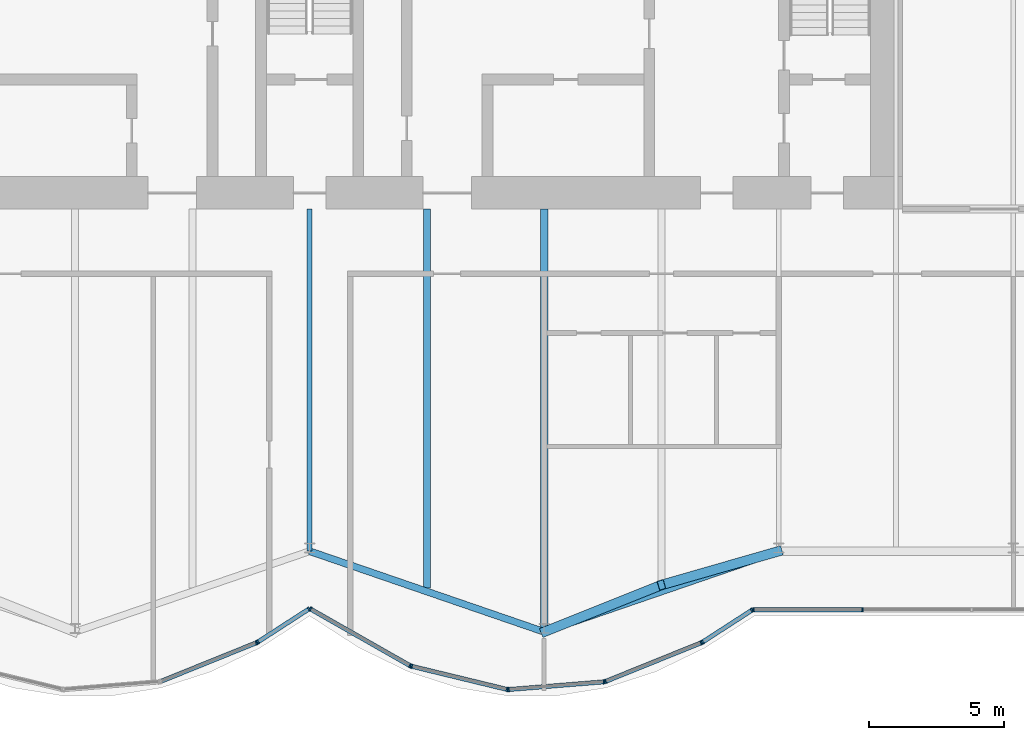
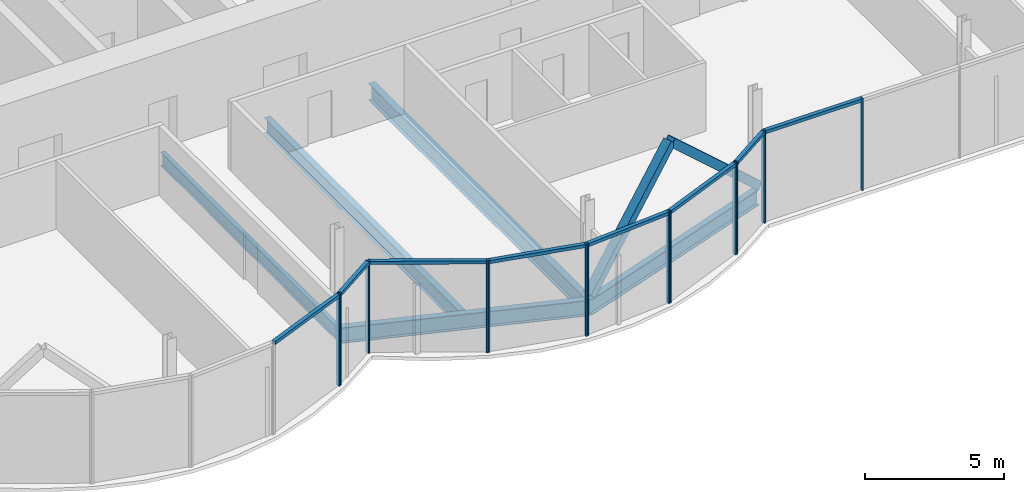
# One storey, part 8 of 19: 25 members, 5 beams, 3 elements without a shape of their own.
"""IFC4 building model written with IfcOpenShell, lengths in metres."""

from ifc_helpers import new_model, si_unit, direction, frame, origin, origin_2d, place, context, subcontext, project, spatial, rectangle, hollow_rectangle, i_section, extrude, material, material_profile, profile_set, type_object, element, aggregate, save


model = new_model("IFC4")

# Units and contexts
model_context = context("Model", 3, precision=1e-05, world=origin(), true_north=direction((0.0, 1.0)))
body_context = subcontext(model_context, "Body", "Model", "MODEL_VIEW")
ifc_project = project(units=[si_unit("LENGTHUNIT", "METRE"), si_unit("AREAUNIT", "SQUARE_METRE"), si_unit("VOLUMEUNIT", "CUBIC_METRE"), si_unit("PLANEANGLEUNIT", "RADIAN"), si_unit("MASSUNIT", "GRAM", prefix="KILO")], contexts=[model_context])

# Site, building, storey
site_placement = place(None, origin())
site = spatial("IfcSite", under=ifc_project, at=site_placement, CompositionType="ELEMENT")
building_placement = place(site_placement, origin())
building = spatial("IfcBuilding", under=site, at=building_placement, Name="Bicima Exchange Tower", CompositionType="ELEMENT")
storey_placement = place(building_placement, frame((0.0, 0.0, 279.199951171875)))
storey = spatial("IfcBuildingStorey", under=building, at=storey_placement, Name="L63", CompositionType="ELEMENT", Elevation=279.199951171875)

# Beams
ifc_material_1 = material(Name="Steel ASTM A992 Gr 50", Category="steel")
ifc_material_profile_1 = material_profile(ifc_material_1, i_section(OverallWidth=0.177978515625, OverallDepth=0.599365234375, WebThickness=0.010009765625, FlangeThickness=0.012939453125, at=origin_2d()))
ifc_profile_set_1 = profile_set([ifc_material_profile_1], Name="Steel ASTM A992 Gr 50")
beam_type_1 = type_object("IfcBeamType", Name="Floor beam W24x55", PredefinedType="JOIST", material=ifc_profile_set_1)
beam_1_placement = place(storey_placement, frame((0.0, -13.0, -0.44970703125), z_axis=(0.0, -1.0, 0.0), x_axis=(1.0, 0.0, 0.0)))
element("IfcBeam", 1, at=beam_1_placement, inside=storey, type_object=beam_type_1, Name="Floor beam", PredefinedType="JOIST", context=body_context, shape_type="SweptSolid", body=[
    extrude(i_section(OverallWidth=0.177978515625, OverallDepth=0.599365234375, WebThickness=0.010009765625, FlangeThickness=0.012939453125, at=origin_2d()), origin(), (0.0, 0.0, 1.0), 12.69189453125),
])
ifc_material_profile_2 = material_profile(ifc_material_1, i_section(OverallWidth=0.25390625, OverallDepth=0.67822265625, WebThickness=0.01171875, FlangeThickness=0.016357421875, at=origin_2d()))
ifc_profile_set_2 = profile_set([ifc_material_profile_2], Name="Steel ASTM A992 Gr 50")
beam_type_2 = type_object("IfcBeamType", Name="Floor beam W27x84", PredefinedType="JOIST", material=ifc_profile_set_2)
beam_2_placement = place(storey_placement, frame((4.35009765625, -13.0, -0.489013671875), z_axis=(0.0, -1.0, 0.0), x_axis=(1.0, 0.0, 0.0)))
element("IfcBeam", 2, at=beam_2_placement, inside=storey, type_object=beam_type_2, Name="Floor beam", PredefinedType="JOIST", context=body_context, shape_type="SweptSolid", body=[
    extrude(i_section(OverallWidth=0.25390625, OverallDepth=0.67822265625, WebThickness=0.01171875, FlangeThickness=0.016357421875, at=origin_2d()), origin(), (0.0, 0.0, 1.0), 14.052001953125),
])
ifc_material_profile_3 = material_profile(ifc_material_1, i_section(OverallWidth=0.2666015625, OverallDepth=0.75439453125, WebThickness=0.01318359375, FlangeThickness=0.01708984375, at=origin_2d()))
ifc_profile_set_3 = profile_set([ifc_material_profile_3], Name="Steel ASTM A992 Gr 50")
beam_type_3 = type_object("IfcBeamType", Name="Floor beam W30x99", PredefinedType="JOIST", material=ifc_profile_set_3)
beam_3_placement = place(storey_placement, frame((8.699951171875, -13.0, -0.527099609375), z_axis=(0.0, -1.0, 0.0), x_axis=(1.0, 0.0, 0.0)))
element("IfcBeam", 3, at=beam_3_placement, inside=storey, type_object=beam_type_3, Name="Floor beam", PredefinedType="JOIST", context=body_context, shape_type="SweptSolid", body=[
    extrude(i_section(OverallWidth=0.2666015625, OverallDepth=0.75439453125, WebThickness=0.01318359375, FlangeThickness=0.01708984375, at=origin_2d()), origin(), (0.0, 0.0, 1.0), 15.54736328125),
])
ifc_material_profile_4 = material_profile(ifc_material_1, i_section(OverallWidth=0.256591796875, OverallDepth=0.693359375, WebThickness=0.014404296875, FlangeThickness=0.023681640625, at=origin_2d()))
ifc_profile_set_4 = profile_set([ifc_material_profile_4], Name="Steel ASTM A992 Gr 50")
beam_type_4 = type_object("IfcBeamType", Name="Front girder W27x114", PredefinedType="BEAM", material=ifc_profile_set_4)
for number, where, z_axis, x_axis, name in (
    (4, (0.0, -25.69189453125, -0.49658203125), (0.945666456746, -0.325138359143, 0.0), (0.325138359143, 0.945666456746, 0.0), "Front girder"),
    (5, (8.699951171875, -28.68310546875, -0.49658203125), (0.945666456746, 0.325138359143, 0.0), (-0.325138359143, 0.945666456746, 0.0), "Front girder"),
):
    element("IfcBeam", number, at=place(storey_placement, frame(where, z_axis=z_axis, x_axis=x_axis)), inside=storey, type_object=beam_type_4, Name=name, PredefinedType="BEAM", context=body_context, shape_type="SweptSolid", body=[
        extrude(i_section(OverallWidth=0.256591796875, OverallDepth=0.693359375, WebThickness=0.014404296875, FlangeThickness=0.023681640625, at=origin_2d()), origin(), (0.0, 0.0, 1.0), 9.19970703125),
    ])

# Curtain wall, members
ifc_material_2 = material(Name="Anodised bronze aluminium", Category="aluminium")
curtain_wall_type = type_object("IfcCurtainWallType", Name="Front glass wall", PredefinedType="NOTDEFINED", material=ifc_material_2)
curtain_wall_1_placement = place(storey_placement, origin())
curtain_wall_1 = element("IfcCurtainWall", 6, at=curtain_wall_1_placement, inside=storey, type_object=curtain_wall_type, Name="Front glass wall L63 run 6", PredefinedType="NOTDEFINED")
ifc_material_profile_5 = material_profile(ifc_material_2, rectangle(XDim=0.159912109375, YDim=0.06005859375, at=origin_2d()))
ifc_profile_set_5 = profile_set([ifc_material_profile_5], Name="Anodised bronze aluminium")
member_type_1 = type_object("IfcMemberType", Name="Front glass wall mullion 60 x 160", PredefinedType="MULLION", material=ifc_profile_set_5)
member_1_placement = place(storey_placement, frame((-1.97412109375, -29.087646484375, 0.0), z_axis=(0.0, 0.0, 1.0), x_axis=(-0.374705304, 0.92714396679, 0.0)))
member_1 = element("IfcMember", 7, at=member_1_placement, type_object=member_type_1, Name="Front glass wall mullion 2", PredefinedType="MULLION", context=body_context, shape_type="SweptSolid", body=[
    extrude(rectangle(XDim=0.159912109375, YDim=0.06005859375, at=origin_2d()), origin(), (0.0, 0.0, 1.0), 4.050048828125),
])
member_2_placement = place(storey_placement, frame((-1.921142578125, -29.06005859375, 0.0), z_axis=(0.0, 0.0, 1.0), x_axis=(-0.542897457326, 0.839798994301, 0.0)))
member_2 = element("IfcMember", 8, at=member_2_placement, type_object=member_type_1, Name="Front glass wall mullion 1", PredefinedType="MULLION", context=body_context, shape_type="SweptSolid", body=[
    extrude(rectangle(XDim=0.159912109375, YDim=0.06005859375, at=origin_2d()), origin(), (0.0, 0.0, 1.0), 4.050048828125),
])
member_3_placement = place(storey_placement, frame((-0.025146484375, -27.83447265625, 0.0), z_axis=(0.0, 0.0, 1.0), x_axis=(-0.542897457326, 0.839798994301, 0.0)))
member_3 = element("IfcMember", 9, at=member_3_placement, type_object=member_type_1, Name="Front glass wall mullion 2", PredefinedType="MULLION", context=body_context, shape_type="SweptSolid", body=[
    extrude(rectangle(XDim=0.159912109375, YDim=0.06005859375, at=origin_2d()), origin(), (0.0, 0.0, 1.0), 4.050048828125),
])

curtain_wall_2_placement = place(storey_placement, origin())
curtain_wall_2 = element("IfcCurtainWall", 10, at=curtain_wall_2_placement, inside=storey, type_object=curtain_wall_type, Name="Front glass wall L63 run 11", PredefinedType="NOTDEFINED")
member_4_placement = place(storey_placement, frame((0.026123046875, -27.8330078125, 0.0), z_axis=(0.0, 0.0, 1.0), x_axis=(0.494330311331, 0.869274147378, 0.0)))
member_4 = element("IfcMember", 11, at=member_4_placement, type_object=member_type_1, Name="Front glass wall mullion 1", PredefinedType="MULLION", context=body_context, shape_type="SweptSolid", body=[
    extrude(rectangle(XDim=0.159912109375, YDim=0.06005859375, at=origin_2d()), origin(), (0.0, 0.0, 1.0), 4.050048828125),
])
member_5_placement = place(storey_placement, frame((3.7265625, -29.9375, 0.0), z_axis=(0.0, 0.0, 1.0), x_axis=(0.494330311331, 0.869274147378, 0.0)))
member_5 = element("IfcMember", 12, at=member_5_placement, type_object=member_type_1, Name="Front glass wall mullion 2", PredefinedType="MULLION", context=body_context, shape_type="SweptSolid", body=[
    extrude(rectangle(XDim=0.159912109375, YDim=0.06005859375, at=origin_2d()), origin(), (0.0, 0.0, 1.0), 4.050048828125),
])
member_6_placement = place(storey_placement, frame((3.781982421875, -29.959228515625, 0.0), z_axis=(0.0, 0.0, 1.0), x_axis=(0.235681529503, 0.971830343553, 0.0)))
member_6 = element("IfcMember", 13, at=member_6_placement, type_object=member_type_1, Name="Front glass wall mullion 1", PredefinedType="MULLION", context=body_context, shape_type="SweptSolid", body=[
    extrude(rectangle(XDim=0.159912109375, YDim=0.06005859375, at=origin_2d()), origin(), (0.0, 0.0, 1.0), 4.050048828125),
])
member_7_placement = place(storey_placement, frame((7.322509765625, -30.81787109375, 0.0), z_axis=(0.0, 0.0, 1.0), x_axis=(0.235681529503, 0.971830343553, 0.0)))
member_7 = element("IfcMember", 14, at=member_7_placement, type_object=member_type_1, Name="Front glass wall mullion 2", PredefinedType="MULLION", context=body_context, shape_type="SweptSolid", body=[
    extrude(rectangle(XDim=0.159912109375, YDim=0.06005859375, at=origin_2d()), origin(), (0.0, 0.0, 1.0), 4.050048828125),
])
member_8_placement = place(storey_placement, frame((7.381591796875, -30.822509765625, 0.0), z_axis=(0.0, 0.0, 1.0), x_axis=(-0.080588612633, 0.99674744821, 0.0)))
member_8 = element("IfcMember", 15, at=member_8_placement, type_object=member_type_1, Name="Front glass wall mullion 1", PredefinedType="MULLION", context=body_context, shape_type="SweptSolid", body=[
    extrude(rectangle(XDim=0.159912109375, YDim=0.06005859375, at=origin_2d()), origin(), (0.0, 0.0, 1.0), 4.050048828125),
])
member_9_placement = place(storey_placement, frame((10.916015625, -30.536865234375, 0.0), z_axis=(0.0, 0.0, 1.0), x_axis=(-0.080588612633, 0.99674744821, 0.0)))
member_9 = element("IfcMember", 16, at=member_9_placement, type_object=member_type_1, Name="Front glass wall mullion 2", PredefinedType="MULLION", context=body_context, shape_type="SweptSolid", body=[
    extrude(rectangle(XDim=0.159912109375, YDim=0.06005859375, at=origin_2d()), origin(), (0.0, 0.0, 1.0), 4.050048828125),
])
member_10_placement = place(storey_placement, frame((10.973876953125, -30.523193359375, 0.0), z_axis=(0.0, 0.0, 1.0), x_axis=(-0.374705304, 0.92714396679, 0.0)))
member_10 = element("IfcMember", 17, at=member_10_placement, type_object=member_type_1, Name="Front glass wall mullion 1", PredefinedType="MULLION", context=body_context, shape_type="SweptSolid", body=[
    extrude(rectangle(XDim=0.159912109375, YDim=0.06005859375, at=origin_2d()), origin(), (0.0, 0.0, 1.0), 4.050048828125),
])
member_11_placement = place(storey_placement, frame((14.52587890625, -29.087646484375, 0.0), z_axis=(0.0, 0.0, 1.0), x_axis=(-0.374705304, 0.92714396679, 0.0)))
member_11 = element("IfcMember", 18, at=member_11_placement, type_object=member_type_1, Name="Front glass wall mullion 2", PredefinedType="MULLION", context=body_context, shape_type="SweptSolid", body=[
    extrude(rectangle(XDim=0.159912109375, YDim=0.06005859375, at=origin_2d()), origin(), (0.0, 0.0, 1.0), 4.050048828125),
])
member_12_placement = place(storey_placement, frame((14.578857421875, -29.06005859375, 0.0), z_axis=(0.0, 0.0, 1.0), x_axis=(-0.542909183079, 0.839791413941, 0.0)))
member_12 = element("IfcMember", 19, at=member_12_placement, type_object=member_type_1, Name="Front glass wall mullion 1", PredefinedType="MULLION", context=body_context, shape_type="SweptSolid", body=[
    extrude(rectangle(XDim=0.159912109375, YDim=0.06005859375, at=origin_2d()), origin(), (0.0, 0.0, 1.0), 4.050048828125),
])
member_13_placement = place(storey_placement, frame((16.406982421875, -27.87841796875, 0.0), z_axis=(0.0, 0.0, 1.0), x_axis=(-0.542909183079, 0.839791413941, 0.0)))
member_13 = element("IfcMember", 20, at=member_13_placement, type_object=member_type_1, Name="Front glass wall mullion 2", PredefinedType="MULLION", context=body_context, shape_type="SweptSolid", body=[
    extrude(rectangle(XDim=0.159912109375, YDim=0.06005859375, at=origin_2d()), origin(), (0.0, 0.0, 1.0), 4.050048828125),
])

curtain_wall_3_placement = place(storey_placement, origin())
curtain_wall_3 = element("IfcCurtainWall", 21, at=curtain_wall_3_placement, inside=storey, type_object=curtain_wall_type, Name="Front glass wall L63 run 16", PredefinedType="NOTDEFINED")
member_14_placement = place(storey_placement, frame((16.462158203125, -27.862060546875, 0.0), z_axis=(0.0, 0.0, 1.0), x_axis=(0.0, 1.0, 0.0)))
member_14 = element("IfcMember", 22, at=member_14_placement, type_object=member_type_1, Name="Front glass wall mullion 1", PredefinedType="MULLION", context=body_context, shape_type="SweptSolid", body=[
    extrude(rectangle(XDim=0.159912109375, YDim=0.06005859375, at=origin_2d()), origin(), (0.0, 0.0, 1.0), 4.050048828125),
])
member_15_placement = place(storey_placement, frame((20.51171875, -27.862060546875, 0.0), z_axis=(0.0, 0.0, 1.0), x_axis=(0.0, 1.0, 0.0)))
member_15 = element("IfcMember", 23, at=member_15_placement, type_object=member_type_1, Name="Front glass wall mullion 2", PredefinedType="MULLION", context=body_context, shape_type="SweptSolid", body=[
    extrude(rectangle(XDim=0.159912109375, YDim=0.06005859375, at=origin_2d()), origin(), (0.0, 0.0, 1.0), 4.050048828125),
])

# Member
ifc_material_profile_6 = material_profile(ifc_material_2, rectangle(XDim=0.159912109375, YDim=0.139892578125, at=origin_2d()))
ifc_profile_set_6 = profile_set([ifc_material_profile_6], Name="Anodised bronze aluminium")
member_type_2 = type_object("IfcMemberType", Name="Front glass wall transom 140 x 160", PredefinedType="USERDEFINED", material=ifc_profile_set_6)
member_16_placement = place(storey_placement, frame((-5.498291015625, -30.511962890625, 3.97998046875), z_axis=(0.927140215882, 0.374714584842, 0.0), x_axis=(-0.374714584842, 0.927140215882, 0.0)))
member_16 = element("IfcMember", 24, at=member_16_placement, type_object=member_type_2, Name="Front glass wall transom 1.1", ObjectType="TRANSOM", PredefinedType="USERDEFINED", context=body_context, shape_type="SweptSolid", body=[
    extrude(rectangle(XDim=0.159912109375, YDim=0.139892578125, at=origin_2d()), origin(), (0.0, 0.0, 1.0), 3.77099609375),
])

member_17_placement = place(storey_placement, frame((-1.89599609375, -29.043701171875, 3.97998046875), z_axis=(0.839811483481, 0.542878137536, 0.0), x_axis=(-0.542878137536, 0.839811483481, 0.0)))
member_17 = element("IfcMember", 25, at=member_17_placement, type_object=member_type_2, Name="Front glass wall transom 1.1", ObjectType="TRANSOM", PredefinedType="USERDEFINED", context=body_context, shape_type="SweptSolid", body=[
    extrude(rectangle(XDim=0.159912109375, YDim=0.139892578125, at=origin_2d()), origin(), (0.0, 0.0, 1.0), 2.19775390625),
])

aggregate(curtain_wall_1, [member_1, member_16, member_2, member_3, member_17])

member_18_placement = place(storey_placement, frame((0.05224609375, -27.847900390625, 3.97998046875), z_axis=(0.869265121745, -0.494346182466, 0.0), x_axis=(0.494346182466, 0.869265121745, 0.0)))
member_18 = element("IfcMember", 26, at=member_18_placement, type_object=member_type_2, Name="Front glass wall transom 1.1", ObjectType="TRANSOM", PredefinedType="USERDEFINED", context=body_context, shape_type="SweptSolid", body=[
    extrude(rectangle(XDim=0.159912109375, YDim=0.139892578125, at=origin_2d()), origin(), (0.0, 0.0, 1.0), 4.19677734375),
])

member_19_placement = place(storey_placement, frame((3.81103515625, -29.96630859375, 3.97998046875), z_axis=(0.971833557815, -0.235668275132, 0.0), x_axis=(0.235668275132, 0.971833557815, 0.0)))
member_19 = element("IfcMember", 27, at=member_19_placement, type_object=member_type_2, Name="Front glass wall transom 1.1", ObjectType="TRANSOM", PredefinedType="USERDEFINED", context=body_context, shape_type="SweptSolid", body=[
    extrude(rectangle(XDim=0.159912109375, YDim=0.139892578125, at=origin_2d()), origin(), (0.0, 0.0, 1.0), 3.583251953125),
])

member_20_placement = place(storey_placement, frame((7.41162109375, -30.8203125, 3.97998046875), z_axis=(0.9967456465, 0.080610893699, 0.0), x_axis=(-0.080610893699, 0.9967456465, 0.0)))
member_20 = element("IfcMember", 28, at=member_20_placement, type_object=member_type_2, Name="Front glass wall transom 1.1", ObjectType="TRANSOM", PredefinedType="USERDEFINED", context=body_context, shape_type="SweptSolid", body=[
    extrude(rectangle(XDim=0.159912109375, YDim=0.139892578125, at=origin_2d()), origin(), (0.0, 0.0, 1.0), 3.48583984375),
])

member_21_placement = place(storey_placement, frame((11.001708984375, -30.511962890625, 3.97998046875), z_axis=(0.927140215882, 0.374714584842, 0.0), x_axis=(-0.374714584842, 0.927140215882, 0.0)))
member_21 = element("IfcMember", 29, at=member_21_placement, type_object=member_type_2, Name="Front glass wall transom 1.1", ObjectType="TRANSOM", PredefinedType="USERDEFINED", context=body_context, shape_type="SweptSolid", body=[
    extrude(rectangle(XDim=0.159912109375, YDim=0.139892578125, at=origin_2d()), origin(), (0.0, 0.0, 1.0), 3.77099609375),
])

member_22_placement = place(storey_placement, frame((14.60400390625, -29.043701171875, 3.97998046875), z_axis=(0.839792890287, 0.542906899407, 0.0), x_axis=(-0.542906899407, 0.839792890287, 0.0)))
member_22 = element("IfcMember", 30, at=member_22_placement, type_object=member_type_2, Name="Front glass wall transom 1.1", ObjectType="TRANSOM", PredefinedType="USERDEFINED", context=body_context, shape_type="SweptSolid", body=[
    extrude(rectangle(XDim=0.159912109375, YDim=0.139892578125, at=origin_2d()), origin(), (0.0, 0.0, 1.0), 2.11669921875),
])

aggregate(curtain_wall_2, [member_4, member_5, member_18, member_6, member_7, member_19, member_8, member_9, member_20, member_10, member_11, member_21, member_12, member_13, member_22])

member_23_placement = place(storey_placement, frame((16.4921875, -27.862060546875, 3.97998046875), z_axis=(1.0, 0.0, 0.0), x_axis=(0.0, 1.0, 0.0)))
member_23 = element("IfcMember", 31, at=member_23_placement, type_object=member_type_2, Name="Front glass wall transom 1.1", ObjectType="TRANSOM", PredefinedType="USERDEFINED", context=body_context, shape_type="SweptSolid", body=[
    extrude(rectangle(XDim=0.159912109375, YDim=0.139892578125, at=origin_2d()), origin(), (0.0, 0.0, 1.0), 3.989501953125),
])

aggregate(curtain_wall_3, [member_14, member_15, member_23])

# Members
ifc_material_3 = material(Name="Steel ASTM A572 Gr 50", Category="steel")
ifc_material_profile_7 = material_profile(ifc_material_3, hollow_rectangle(XDim=0.355712890625, YDim=0.355712890625, WallThickness=0.0146484375, at=origin_2d()))
ifc_profile_set_7 = profile_set([ifc_material_profile_7], Name="Steel ASTM A572 Gr 50")
member_type_3 = type_object("IfcMemberType", Name="Mega brace HSS14x14x5/8", PredefinedType="BRACE", material=ifc_profile_set_7)
member_24_placement = place(storey_placement, frame((8.699951171875, -28.68310546875, 0.0), z_axis=(0.691373615884, 0.276464082005, 0.667510400384), x_axis=(-0.371291842786, 0.928516218211, 0.0)))
element("IfcMember", 32, at=member_24_placement, inside=storey, type_object=member_type_3, Name="Mega brace front", PredefinedType="BRACE", context=body_context, shape_type="SweptSolid", body=[
    extrude(hollow_rectangle(XDim=0.355712890625, YDim=0.355712890625, WallThickness=0.0146484375, at=origin_2d()), origin(), (0.0, 0.0, 1.0), 6.2919921875),
])
member_25_placement = place(storey_placement, frame((17.39990234375, -25.69189453125, 0.0), z_axis=(-0.704457747565, -0.202713973832, 0.680181098465), x_axis=(0.276537209588, -0.961003211084, 0.0)))
element("IfcMember", 33, at=member_25_placement, inside=storey, type_object=member_type_3, Name="Mega brace front", PredefinedType="BRACE", context=body_context, shape_type="SweptSolid", body=[
    extrude(hollow_rectangle(XDim=0.355712890625, YDim=0.355712890625, WallThickness=0.0146484375, at=origin_2d()), origin(), (0.0, 0.0, 1.0), 6.1748046875),
])

save(model, "model.ifc")
